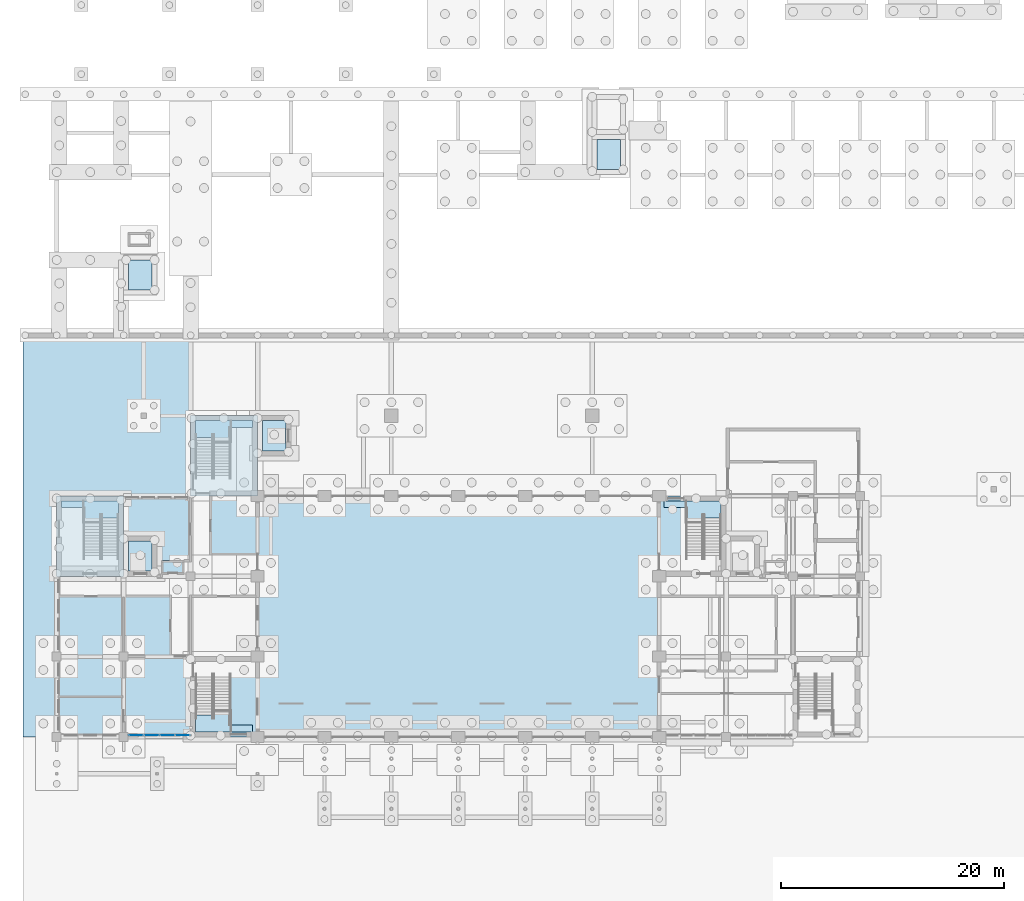
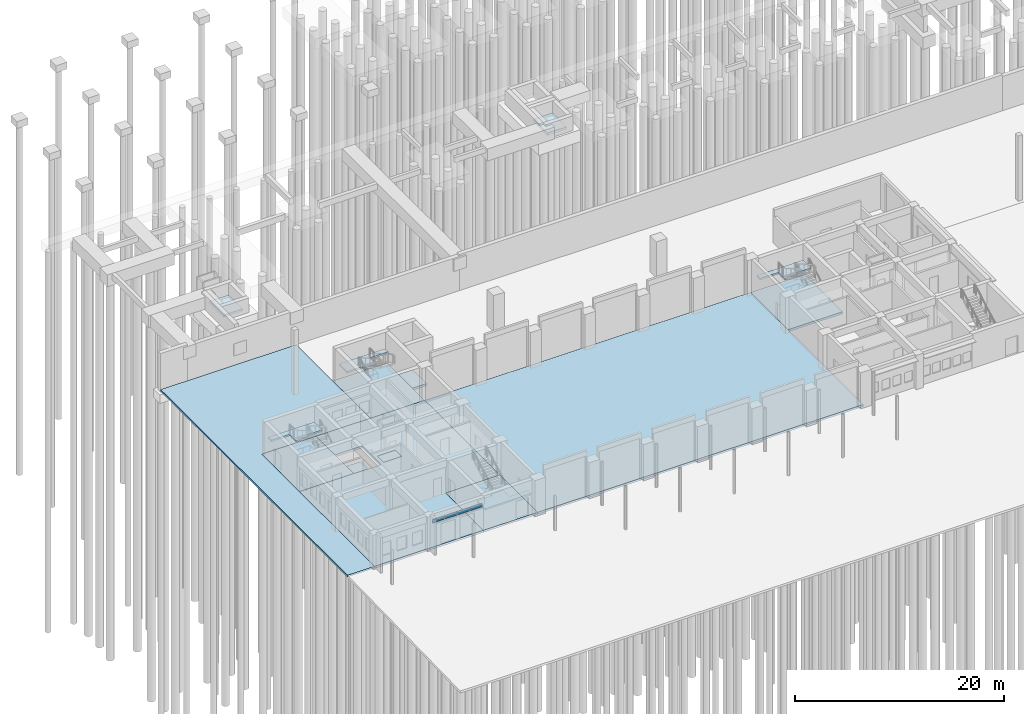
# One storey, part 18 of 37: 16 slabs, 4 plates, 5 elements without a shape of their own.
"""IFC4 building model written with IfcOpenShell, lengths in metres."""

from ifc_helpers import new_model, si_unit, direction, frame, origin, origin_2d, place, context, subcontext, project, spatial, polyline, rectangle, outline, extrude, material, layer, layer_set, type_object, element, aggregate, save


model = new_model("IFC4")

# Units and contexts
model_context = context("Model", 3, precision=1e-05, world=origin(), true_north=direction((0.0, 1.0)))
body_context = subcontext(model_context, "Body", "Model", "MODEL_VIEW")
ifc_project = project(units=[si_unit("LENGTHUNIT", "METRE"), si_unit("AREAUNIT", "SQUARE_METRE"), si_unit("VOLUMEUNIT", "CUBIC_METRE"), si_unit("PLANEANGLEUNIT", "RADIAN"), si_unit("MASSUNIT", "GRAM", prefix="KILO")], contexts=[model_context])

# Site, building, storey
site_placement = place(None, origin())
site = spatial("IfcSite", under=ifc_project, at=site_placement, CompositionType="ELEMENT")
building_placement = place(site_placement, origin())
building = spatial("IfcBuilding", under=site, at=building_placement, Name="Laocheng Heights Fire and Rescue Headquarters", CompositionType="ELEMENT")
storey_placement = place(building_placement, origin())
storey = spatial("IfcBuildingStorey", under=building, at=storey_placement, Name="L00", CompositionType="ELEMENT", Elevation=0.0)

# Curtain wall, plates
ifc_material_1 = material(Name="Aluminium unitised curtain wall, low-e double glazing", Category="aluminium")
curtain_wall_type = type_object("IfcCurtainWallType", Name="CW 5600 x 600 FLANK W UNIT", PredefinedType="NOTDEFINED", material=ifc_material_1)
curtain_wall_placement = place(storey_placement, origin())
curtain_wall = element("IfcCurtainWall", 1, at=curtain_wall_placement, inside=storey, type_object=curtain_wall_type, Name="Flank_W entrance glazing L00", PredefinedType="NOTDEFINED")
ifc_material_2 = material(Name="Low-e double glazed unit, laminated inner pane")
ifc_layer_1 = layer(ifc_material_2, 0.028076171875)
ifc_layer_set_1 = layer_set([ifc_layer_1], Name="Low-e double glazed unit, laminated inner pane")
plate_type = type_object("IfcPlateType", Name="CW VISION PANEL 28 LOW-E", PredefinedType="CURTAIN_PANEL", material=ifc_layer_set_1)
plate_1_placement = place(storey_placement, frame((7.114990234375, 0.14990234375, 2.699951171875), z_axis=(0.0, 0.0, 1.0), x_axis=(1.0, 0.0, 0.0)))
plate_1 = element("IfcPlate", 2, at=plate_1_placement, type_object=plate_type, Name="X1-E panel 1.1", PredefinedType="CURTAIN_PANEL", context=body_context, shape_type="SweptSolid", body=[
    extrude(rectangle(XDim=1.31005859375, YDim=0.028076171875, at=origin_2d()), origin(), (0.0, 0.0, 1.0), 0.39990234375),
])
plate_2_placement = place(storey_placement, frame((8.5, 0.14990234375, 2.699951171875), z_axis=(0.0, 0.0, 1.0), x_axis=(1.0, 0.0, 0.0)))
plate_2 = element("IfcPlate", 3, at=plate_2_placement, type_object=plate_type, Name="X1-E panel 2.1", PredefinedType="CURTAIN_PANEL", context=body_context, shape_type="SweptSolid", body=[
    extrude(rectangle(XDim=1.340087890625, YDim=0.028076171875, at=origin_2d()), origin(), (0.0, 0.0, 1.0), 0.39990234375),
])
plate_3_placement = place(storey_placement, frame((9.89990234375, 0.14990234375, 2.699951171875), z_axis=(0.0, 0.0, 1.0), x_axis=(1.0, 0.0, 0.0)))
plate_3 = element("IfcPlate", 4, at=plate_3_placement, type_object=plate_type, Name="X1-E panel 3.1", PredefinedType="CURTAIN_PANEL", context=body_context, shape_type="SweptSolid", body=[
    extrude(rectangle(XDim=1.340087890625, YDim=0.028076171875, at=origin_2d()), origin(), (0.0, 0.0, 1.0), 0.39990234375),
])
plate_4_placement = place(storey_placement, frame((11.284912109375, 0.14990234375, 2.699951171875), z_axis=(0.0, 0.0, 1.0), x_axis=(1.0, 0.0, 0.0)))
plate_4 = element("IfcPlate", 5, at=plate_4_placement, type_object=plate_type, Name="X1-E panel 4.1", PredefinedType="CURTAIN_PANEL", context=body_context, shape_type="SweptSolid", body=[
    extrude(rectangle(XDim=1.31005859375, YDim=0.028076171875, at=origin_2d()), origin(), (0.0, 0.0, 1.0), 0.39990234375),
])
aggregate(curtain_wall, [plate_1, plate_2, plate_3, plate_4])

# Slabs
ifc_material_3 = material(Name="Concrete C40", Category="concrete")
ifc_layer_2 = layer(ifc_material_3, 0.25)
ifc_layer_set_2 = layer_set([ifc_layer_2], Name="Concrete C40")
slab_type_1 = type_object("IfcSlabType", Name="RC GROUND SLAB APPLIANCE BAY 250", PredefinedType="BASESLAB", material=ifc_layer_set_2)
slab_1_placement = place(storey_placement, frame((0.0, 0.0, -0.25)))
element("IfcSlab", 6, at=slab_1_placement, inside=storey, type_object=slab_type_1, Name="Appliance bay floor slab on grade", PredefinedType="BASESLAB", context=body_context, shape_type="SweptSolid", body=[
    extrude(outline(polyline([(54.0, 0.0), (54.0, 21.60009765625), (18.0, 21.60009765625), (18.0, 0.0), (54.0, 0.0)])), origin(), (0.0, 0.0, 1.0), 0.25),
])
ifc_material_4 = material(Name="Concrete C40", Category="concrete")
ifc_layer_3 = layer(ifc_material_4, 0.25)
ifc_layer_set_3 = layer_set([ifc_layer_3], Name="Concrete C40")
slab_type_2 = type_object("IfcSlabType", Name="RC GROUND SLAB PAVILION 250", PredefinedType="BASESLAB", material=ifc_layer_set_3)
slab_2_placement = place(storey_placement, frame((0.0, 0.0, -0.25)))
element("IfcSlab", 7, at=slab_2_placement, inside=storey, type_object=slab_type_2, Name="Pavilion floor slab on grade", PredefinedType="BASESLAB", context=body_context, shape_type="SweptSolid", body=[
    extrude(outline(polyline([(18.0, 7.199951171875), (18.0, 21.60009765625), (6.0, 21.60009765625), (6.0, 18.0), (9.0, 18.0), (9.0, 14.39990234375), (0.0, 14.39990234375), (0.0, 0.0), (12.0, 0.0), (12.0, 7.199951171875), (18.0, 7.199951171875)]), holes=[polyline([(9.39990234375, 15.800048828125), (11.39990234375, 15.800048828125), (11.39990234375, 14.60009765625), (9.39990234375, 14.60009765625), (9.39990234375, 15.800048828125)])]), origin(), (0.0, 0.0, 1.0), 0.25),
])
ifc_material_5 = material(Name="Concrete C40", Category="concrete")
ifc_layer_4 = layer(ifc_material_5, 0.280029296875)
ifc_layer_set_4 = layer_set([ifc_layer_4], Name="Concrete C40")
slab_type_3 = type_object("IfcSlabType", Name="RC LIFT PIT SLAB 280", PredefinedType="BASESLAB", material=ifc_layer_set_4)
slab_3_placement = place(storey_placement, frame((0.0, 0.0, 2.52001953125)))
element("IfcSlab", 8, at=slab_3_placement, inside=storey, type_object=slab_type_3, Name="Lift pit slab P-L1", PredefinedType="BASESLAB", context=body_context, shape_type="SweptSolid", body=[
    extrude(outline(polyline([(6.449951171875, 42.75), (6.449951171875, 40.050048828125), (8.550048828125, 40.050048828125), (8.550048828125, 42.75), (6.449951171875, 42.75)])), origin(), (0.0, 0.0, 1.0), 0.280029296875),
])
slab_4_placement = place(storey_placement, frame((0.0, 0.0, 2.52001953125)))
element("IfcSlab", 9, at=slab_4_placement, inside=storey, type_object=slab_type_3, Name="Lift pit slab H-L3", PredefinedType="BASESLAB", context=body_context, shape_type="SweptSolid", body=[
    extrude(outline(polyline([(48.449951171875, 53.550048828125), (48.449951171875, 50.85009765625), (50.550048828125, 50.85009765625), (50.550048828125, 53.550048828125), (48.449951171875, 53.550048828125)])), origin(), (0.0, 0.0, 1.0), 0.280029296875),
])
ifc_material_6 = material(Name="Concrete C35", Category="concrete")
ifc_layer_5 = layer(ifc_material_6, 0.199951171875)
ifc_layer_set_5 = layer_set([ifc_layer_5], Name="Concrete C35")
slab_type_4 = type_object("IfcSlabType", Name="RC SLAB ON GRADE 200 WEST GARDEN PAVING", PredefinedType="BASESLAB", material=ifc_layer_set_5)
slab_5_placement = place(storey_placement, frame((0.0, 0.0, -0.199951171875)))
element("IfcSlab", 10, at=slab_5_placement, inside=storey, type_object=slab_type_4, Name="Site slab SL4 West Garden Paving", PredefinedType="BASESLAB", context=body_context, shape_type="SweptSolid", body=[
    extrude(outline(polyline([(-3.0, 0.0), (0.0, 0.0), (0.0, 21.60009765625), (12.0, 21.60009765625), (12.0, 35.77490234375), (-3.0, 35.77490234375), (-3.0, 0.0)])), origin(), (0.0, 0.0, 1.0), 0.199951171875),
])
ifc_material_7 = material(Name="Concrete C30", Category="concrete")
ifc_layer_6 = layer(ifc_material_7, 0.25)
ifc_layer_set_6 = layer_set([ifc_layer_6], Name="Concrete C30")
slab_type_5 = type_object("IfcSlabType", Name="RISER FLOOR SLAB 250", PredefinedType="FLOOR", material=ifc_layer_set_6)
slab_6_placement = place(storey_placement, frame((0.0, 0.0, -0.25)))
element("IfcSlab", 11, at=slab_6_placement, inside=storey, type_object=slab_type_5, Name="Riser floor slab RW1", PredefinedType="FLOOR", context=body_context, shape_type="SweptSolid", body=[
    extrude(outline(polyline([(11.39990234375, 14.60009765625), (11.39990234375, 15.800048828125), (9.39990234375, 15.800048828125), (9.39990234375, 14.60009765625), (11.39990234375, 14.60009765625)])), origin(), (0.0, 0.0, 1.0), 0.25),
])

# Stair, slab
ifc_material_8 = material(Name="Concrete C40", Category="concrete")
stair_type = type_object("IfcStairType", Name="RC STAIR 1400 TWO FLIGHTS 28 RISERS OF 150 GOING 260", PredefinedType="HALF_TURN_STAIR", material=ifc_material_8)
stair_1_placement = place(storey_placement, origin())
stair_1 = element("IfcStair", 12, at=stair_1_placement, inside=storey, type_object=stair_type, Name="Stair W1 (L00 to L01)", PredefinedType="HALF_TURN_STAIR")
ifc_material_9 = material(Name="Concrete C40", Category="concrete")
ifc_layer_7 = layer(ifc_material_9, 0.25)
ifc_layer_set_7 = layer_set([ifc_layer_7], Name="Concrete C40")
slab_type_6 = type_object("IfcSlabType", Name="STAIR FLOOR LANDING 250", PredefinedType="LANDING", material=ifc_layer_set_7)
slab_7_placement = place(storey_placement, frame((0.0, 0.0, -0.25)))
slab_7 = element("IfcSlab", 13, at=slab_7_placement, type_object=slab_type_6, Name="Stair W1 floor landing L00", PredefinedType="LANDING", context=body_context, shape_type="SweptSolid", body=[
    extrude(outline(polyline([(6.0, 14.39990234375), (6.0, 21.60009765625), (0.0, 21.60009765625), (0.0, 14.39990234375), (6.0, 14.39990234375)])), origin(), (0.0, 0.0, 1.0), 0.25),
])

stair_2_placement = place(storey_placement, origin())
stair_2 = element("IfcStair", 14, at=stair_2_placement, inside=storey, type_object=stair_type, Name="Stair W2 (L00 to L01)", PredefinedType="HALF_TURN_STAIR")
slab_8_placement = place(storey_placement, frame((0.0, 0.0, -0.25)))
slab_8 = element("IfcSlab", 15, at=slab_8_placement, type_object=slab_type_6, Name="Stair W2 floor landing L00", PredefinedType="LANDING", context=body_context, shape_type="SweptSolid", body=[
    extrude(outline(polyline([(18.0, 0.0), (18.0, 7.199951171875), (12.0, 7.199951171875), (12.0, 0.0), (18.0, 0.0)])), origin(), (0.0, 0.0, 1.0), 0.25),
])

stair_3_placement = place(storey_placement, origin())
stair_3 = element("IfcStair", 16, at=stair_3_placement, inside=storey, type_object=stair_type, Name="Stair E1 (L00 to L01)", PredefinedType="HALF_TURN_STAIR")
slab_9_placement = place(storey_placement, frame((0.0, 0.0, -0.25)))
slab_9 = element("IfcSlab", 17, at=slab_9_placement, type_object=slab_type_6, Name="Stair E1 floor landing L00", PredefinedType="LANDING", context=body_context, shape_type="SweptSolid", body=[
    extrude(outline(polyline([(60.0, 14.39990234375), (60.0, 21.60009765625), (54.0, 21.60009765625), (54.0, 14.39990234375), (60.0, 14.39990234375)])), origin(), (0.0, 0.0, 1.0), 0.25),
])

stair_4_placement = place(storey_placement, origin())
stair_4 = element("IfcStair", 18, at=stair_4_placement, inside=storey, type_object=stair_type, Name="Stair G1 (L00 to L01)", PredefinedType="HALF_TURN_STAIR")
slab_10_placement = place(storey_placement, frame((0.0, 0.0, -0.25)))
slab_10 = element("IfcSlab", 19, at=slab_10_placement, type_object=slab_type_6, Name="Stair G1 floor landing L00", PredefinedType="LANDING", context=body_context, shape_type="SweptSolid", body=[
    extrude(outline(polyline([(18.0, 21.60009765625), (18.0, 28.800048828125), (12.0, 28.800048828125), (12.0, 21.60009765625), (18.0, 21.60009765625)])), origin(), (0.0, 0.0, 1.0), 0.25),
])

# Slab
ifc_material_10 = material(Name="Concrete C40", Category="concrete")
ifc_layer_8 = layer(ifc_material_10, 0.201904296875)
ifc_layer_set_8 = layer_set([ifc_layer_8], Name="Concrete C40")
slab_type_7 = type_object("IfcSlabType", Name="STAIR HALF LANDING 202", PredefinedType="LANDING", material=ifc_layer_set_8)
slab_11_placement = place(storey_placement, frame((0.0, 0.0, 1.89990234375)))
slab_11 = element("IfcSlab", 20, at=slab_11_placement, type_object=slab_type_7, Name="W1-L00 landing 1", PredefinedType="LANDING", context=body_context, shape_type="SweptSolid", body=[
    extrude(outline(polyline([(0.449951171875, 20.550048828125), (0.449951171875, 21.14990234375), (2.47509765625, 21.14990234375), (3.875, 21.14990234375), (5.550048828125, 21.14990234375), (5.550048828125, 19.626953125), (3.875, 19.626953125), (3.875, 19.329833984375), (2.47509765625, 19.329833984375), (2.47509765625, 20.550048828125), (0.449951171875, 20.550048828125)])), origin(), (0.0, 0.0, 1.0), 0.2021484375),
])

aggregate(stair_1, [slab_11, slab_7])

slab_12_placement = place(storey_placement, frame((0.0, 0.0, 1.89990234375)))
slab_12 = element("IfcSlab", 21, at=slab_12_placement, type_object=slab_type_7, Name="W2-L00 landing 1", PredefinedType="LANDING", context=body_context, shape_type="SweptSolid", body=[
    extrude(outline(polyline([(17.550048828125, 1.050048828125), (17.550048828125, 0.449951171875), (15.52490234375, 0.449951171875), (14.125, 0.449951171875), (12.449951171875, 0.449951171875), (12.449951171875, 1.972900390625), (14.125, 1.972900390625), (14.125, 2.270263671875), (15.52490234375, 2.270263671875), (15.52490234375, 1.050048828125), (17.550048828125, 1.050048828125)])), origin(), (0.0, 0.0, 1.0), 0.2021484375),
])

aggregate(stair_2, [slab_12, slab_8])

slab_13_placement = place(storey_placement, frame((0.0, 0.0, 1.89990234375)))
slab_13 = element("IfcSlab", 22, at=slab_13_placement, type_object=slab_type_7, Name="E1-L00 landing 1", PredefinedType="LANDING", context=body_context, shape_type="SweptSolid", body=[
    extrude(outline(polyline([(54.449951171875, 20.550048828125), (54.449951171875, 21.14990234375), (56.47509765625, 21.14990234375), (57.875, 21.14990234375), (59.550048828125, 21.14990234375), (59.550048828125, 19.626953125), (57.875, 19.626953125), (57.875, 19.329833984375), (56.47509765625, 19.329833984375), (56.47509765625, 20.550048828125), (54.449951171875, 20.550048828125)])), origin(), (0.0, 0.0, 1.0), 0.2021484375),
])

aggregate(stair_3, [slab_13, slab_9])

slab_14_placement = place(storey_placement, frame((0.0, 0.0, 1.89990234375)))
slab_14 = element("IfcSlab", 23, at=slab_14_placement, type_object=slab_type_7, Name="G1-L00 landing 1", PredefinedType="LANDING", context=body_context, shape_type="SweptSolid", body=[
    extrude(outline(polyline([(17.550048828125, 27.75), (17.550048828125, 28.35009765625), (15.52490234375, 28.35009765625), (14.125, 28.35009765625), (12.449951171875, 28.35009765625), (12.449951171875, 26.826904296875), (14.125, 26.826904296875), (14.125, 26.52978515625), (15.52490234375, 26.52978515625), (15.52490234375, 27.75), (17.550048828125, 27.75)])), origin(), (0.0, 0.0, 1.0), 0.2021484375),
])

aggregate(stair_4, [slab_14, slab_10])

# Slabs
ifc_material_11 = material(Name="Concrete C40", Category="concrete")
ifc_layer_9 = layer(ifc_material_11, 0.280029296875)
ifc_layer_set_9 = layer_set([ifc_layer_9], Name="Concrete C40")
slab_type_8 = type_object("IfcSlabType", Name="TANKED RC LIFT PIT SLAB 280 BELOW DESIGN FLOOD LEVEL", PredefinedType="BASESLAB", material=ifc_layer_set_9)
slab_15_placement = place(storey_placement, frame((0.0, 0.0, -1.679931640625)))
element("IfcSlab", 24, at=slab_15_placement, inside=storey, type_object=slab_type_8, Name="Lift pit slab W-L1", PredefinedType="BASESLAB", context=body_context, shape_type="SweptSolid", body=[
    extrude(outline(polyline([(6.449951171875, 17.550048828125), (6.449951171875, 14.85009765625), (8.550048828125, 14.85009765625), (8.550048828125, 17.550048828125), (6.449951171875, 17.550048828125)])), origin(), (0.0, 0.0, 1.0), 0.280029296875),
])
slab_16_placement = place(storey_placement, frame((0.0, 0.0, -1.679931640625)))
element("IfcSlab", 25, at=slab_16_placement, inside=storey, type_object=slab_type_8, Name="Lift pit slab G-L1", PredefinedType="BASESLAB", context=body_context, shape_type="SweptSolid", body=[
    extrude(outline(polyline([(18.449951171875, 28.35009765625), (18.449951171875, 25.64990234375), (20.550048828125, 25.64990234375), (20.550048828125, 28.35009765625), (18.449951171875, 28.35009765625)])), origin(), (0.0, 0.0, 1.0), 0.280029296875),
])

save(model, "model.ifc")
